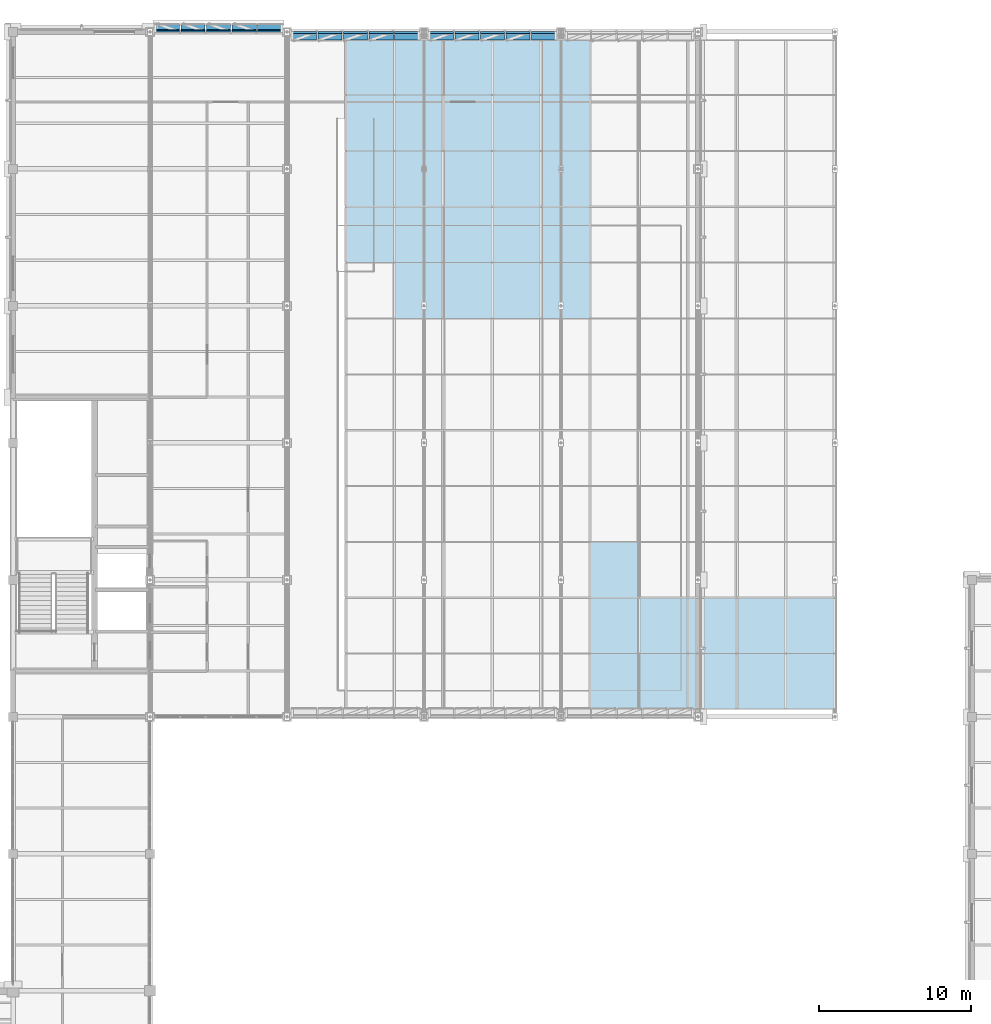
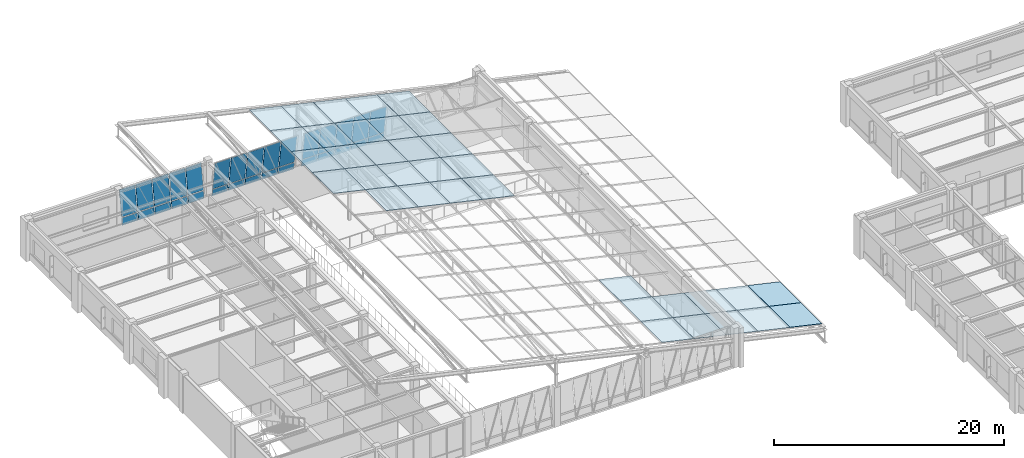
# One storey, part 106 of 130: 65 plates, 8 elements without a shape of their own.
"""IFC4 building model written with IfcOpenShell, lengths in metres."""

from ifc_helpers import new_model, si_unit, direction, frame, origin, origin_2d, place, context, subcontext, project, spatial, rectangle, extrude, material, layer, layer_set, type_object, element, aggregate, save


model = new_model("IFC4")

# Units and contexts
model_context = context("Model", 3, precision=1e-05, world=origin(), true_north=direction((0.0, 1.0)))
body_context = subcontext(model_context, "Body", "Model", "MODEL_VIEW")
ifc_project = project(units=[si_unit("LENGTHUNIT", "METRE"), si_unit("AREAUNIT", "SQUARE_METRE"), si_unit("VOLUMEUNIT", "CUBIC_METRE"), si_unit("PLANEANGLEUNIT", "RADIAN"), si_unit("MASSUNIT", "GRAM", prefix="KILO")], contexts=[model_context])

# Site, building, storey
site_placement = place(None, origin())
site = spatial("IfcSite", under=ifc_project, at=site_placement, CompositionType="ELEMENT")
building_placement = place(site_placement, origin())
building = spatial("IfcBuilding", under=site, at=building_placement, Name="Lykobir Media Centre", CompositionType="ELEMENT")
storey_placement = place(building_placement, frame((0.0, 0.0, 19.199951171875)))
storey = spatial("IfcBuildingStorey", under=building, at=storey_placement, Name="L04", CompositionType="ELEMENT", Elevation=19.199951171875)

# Curtain wall, plates
ifc_material_1 = material(Name="Anodized Aluminium AW-6060", Category="aluminium")
curtain_wall_type_1 = type_object("IfcCurtainWallType", Name="CW-V6-CR4", PredefinedType="NOTDEFINED", material=ifc_material_1)
curtain_wall_1_placement = place(storey_placement, origin())
curtain_wall_1 = element("IfcCurtainWall", 1, at=curtain_wall_1_placement, inside=storey, type_object=curtain_wall_type_1, Name="Curtain wall CW2-L04-0163", PredefinedType="NOTDEFINED")
ifc_material_2 = material(Name="Low-E Laminated Triple Glazing", Category="glass")
ifc_layer_1 = layer(ifc_material_2, 0.0439453125, Name="Low-E Laminated Triple Glazing")
ifc_layer_set_1 = layer_set([ifc_layer_1], Name="Low-E Laminated Triple Glazing")
plate_type_1 = type_object("IfcPlateType", Name="CWP-GLZ-44", PredefinedType="CURTAIN_PANEL", material=ifc_layer_set_1)
plate_1_placement = place(storey_placement, frame((43.837158203125, 108.126708984375, 0.87841796875), z_axis=(0.0, 0.142628933706, 0.989776230908), x_axis=(-1.0, 0.0, 0.0)))
plate_1 = element("IfcPlate", 2, at=plate_1_placement, type_object=plate_type_1, Name="CW2-L04-0163 panel 1.2", PredefinedType="CURTAIN_PANEL", context=body_context, shape_type="SweptSolid", body=[
    extrude(rectangle(XDim=1.5654296875, YDim=0.0439453125, at=origin_2d()), origin(), (0.0, 0.0, 1.0), 2.7099609375),
])
plate_2_placement = place(storey_placement, frame((42.177978515625, 108.126708984375, 0.87841796875), z_axis=(0.0, 0.142628933706, 0.989776230908), x_axis=(-1.0, 0.0, 0.0)))
plate_2 = element("IfcPlate", 3, at=plate_2_placement, type_object=plate_type_1, Name="CW2-L04-0163 panel 2.2", PredefinedType="CURTAIN_PANEL", context=body_context, shape_type="SweptSolid", body=[
    extrude(rectangle(XDim=1.60302734375, YDim=0.0439453125, at=origin_2d()), origin(), (0.0, 0.0, 1.0), 2.7099609375),
])
plate_3_placement = place(storey_placement, frame((40.5, 108.126708984375, 0.87841796875), z_axis=(0.0, 0.142628933706, 0.989776230908), x_axis=(-1.0, 0.0, 0.0)))
plate_3 = element("IfcPlate", 4, at=plate_3_placement, type_object=plate_type_1, Name="CW2-L04-0163 panel 3.2", PredefinedType="CURTAIN_PANEL", context=body_context, shape_type="SweptSolid", body=[
    extrude(rectangle(XDim=1.60302734375, YDim=0.0439453125, at=origin_2d()), origin(), (0.0, 0.0, 1.0), 2.7099609375),
])
plate_4_placement = place(storey_placement, frame((38.822021484375, 108.126708984375, 0.87841796875), z_axis=(0.0, 0.142628933706, 0.989776230908), x_axis=(-1.0, 0.0, 0.0)))
plate_4 = element("IfcPlate", 5, at=plate_4_placement, type_object=plate_type_1, Name="CW2-L04-0163 panel 4.2", PredefinedType="CURTAIN_PANEL", context=body_context, shape_type="SweptSolid", body=[
    extrude(rectangle(XDim=1.60302734375, YDim=0.0439453125, at=origin_2d()), origin(), (0.0, 0.0, 1.0), 2.7099609375),
])
plate_5_placement = place(storey_placement, frame((37.162841796875, 108.126708984375, 0.87841796875), z_axis=(0.0, 0.142628933706, 0.989776230908), x_axis=(-1.0, 0.0, 0.0)))
plate_5 = element("IfcPlate", 6, at=plate_5_placement, type_object=plate_type_1, Name="CW2-L04-0163 panel 5.2", PredefinedType="CURTAIN_PANEL", context=body_context, shape_type="SweptSolid", body=[
    extrude(rectangle(XDim=1.5654296875, YDim=0.0439453125, at=origin_2d()), origin(), (0.0, 0.0, 1.0), 2.7099609375),
])

curtain_wall_2_placement = place(storey_placement, origin())
curtain_wall_2 = element("IfcCurtainWall", 7, at=curtain_wall_2_placement, inside=storey, type_object=curtain_wall_type_1, Name="Curtain wall CW2-L04-0164", PredefinedType="NOTDEFINED")
plate_6_placement = place(storey_placement, frame((46.162841796875, 107.873291015625, 0.87841796875), z_axis=(0.0, -0.142628933706, 0.989776230908), x_axis=(1.0, 0.0, 0.0)))
plate_6 = element("IfcPlate", 8, at=plate_6_placement, type_object=plate_type_1, Name="CW2-L04-0164 panel 1.2", PredefinedType="CURTAIN_PANEL", context=body_context, shape_type="SweptSolid", body=[
    extrude(rectangle(XDim=1.5654296875, YDim=0.0439453125, at=origin_2d()), origin(), (0.0, 0.0, 1.0), 3.018310546875),
])
plate_7_placement = place(storey_placement, frame((47.822021484375, 107.873291015625, 0.87841796875), z_axis=(0.0, -0.142628933706, 0.989776230908), x_axis=(1.0, 0.0, 0.0)))
plate_7 = element("IfcPlate", 9, at=plate_7_placement, type_object=plate_type_1, Name="CW2-L04-0164 panel 2.2", PredefinedType="CURTAIN_PANEL", context=body_context, shape_type="SweptSolid", body=[
    extrude(rectangle(XDim=1.60302734375, YDim=0.0439453125, at=origin_2d()), origin(), (0.0, 0.0, 1.0), 3.018310546875),
])
plate_8_placement = place(storey_placement, frame((49.5, 107.873291015625, 0.87841796875), z_axis=(0.0, -0.142628933706, 0.989776230908), x_axis=(1.0, 0.0, 0.0)))
plate_8 = element("IfcPlate", 10, at=plate_8_placement, type_object=plate_type_1, Name="CW2-L04-0164 panel 3.2", PredefinedType="CURTAIN_PANEL", context=body_context, shape_type="SweptSolid", body=[
    extrude(rectangle(XDim=1.60302734375, YDim=0.0439453125, at=origin_2d()), origin(), (0.0, 0.0, 1.0), 3.018310546875),
])
plate_9_placement = place(storey_placement, frame((51.177978515625, 107.873291015625, 0.87841796875), z_axis=(0.0, -0.142628933706, 0.989776230908), x_axis=(1.0, 0.0, 0.0)))
plate_9 = element("IfcPlate", 11, at=plate_9_placement, type_object=plate_type_1, Name="CW2-L04-0164 panel 4.2", PredefinedType="CURTAIN_PANEL", context=body_context, shape_type="SweptSolid", body=[
    extrude(rectangle(XDim=1.60302734375, YDim=0.0439453125, at=origin_2d()), origin(), (0.0, 0.0, 1.0), 3.018310546875),
])
plate_10_placement = place(storey_placement, frame((52.837158203125, 107.873291015625, 0.87841796875), z_axis=(0.0, -0.142628933706, 0.989776230908), x_axis=(1.0, 0.0, 0.0)))
plate_10 = element("IfcPlate", 12, at=plate_10_placement, type_object=plate_type_1, Name="CW2-L04-0164 panel 5.2", PredefinedType="CURTAIN_PANEL", context=body_context, shape_type="SweptSolid", body=[
    extrude(rectangle(XDim=1.5654296875, YDim=0.0439453125, at=origin_2d()), origin(), (0.0, 0.0, 1.0), 3.018310546875),
])

curtain_wall_3_placement = place(storey_placement, origin())
curtain_wall_3 = element("IfcCurtainWall", 13, at=curtain_wall_3_placement, inside=storey, type_object=curtain_wall_type_1, Name="Curtain wall CW2-L04-0165", PredefinedType="NOTDEFINED")
plate_11_placement = place(storey_placement, frame((55.162841796875, 107.873291015625, 0.87841796875), z_axis=(0.0, -0.142628933706, 0.989776230908), x_axis=(1.0, 0.0, 0.0)))
plate_11 = element("IfcPlate", 14, at=plate_11_placement, type_object=plate_type_1, Name="CW2-L04-0165 panel 1.2", PredefinedType="CURTAIN_PANEL", context=body_context, shape_type="SweptSolid", body=[
    extrude(rectangle(XDim=1.5654296875, YDim=0.0439453125, at=origin_2d()), origin(), (0.0, 0.0, 1.0), 3.018310546875),
])
plate_12_placement = place(storey_placement, frame((56.822021484375, 107.873291015625, 0.87841796875), z_axis=(0.0, -0.142628933706, 0.989776230908), x_axis=(1.0, 0.0, 0.0)))
plate_12 = element("IfcPlate", 15, at=plate_12_placement, type_object=plate_type_1, Name="CW2-L04-0165 panel 2.2", PredefinedType="CURTAIN_PANEL", context=body_context, shape_type="SweptSolid", body=[
    extrude(rectangle(XDim=1.60302734375, YDim=0.0439453125, at=origin_2d()), origin(), (0.0, 0.0, 1.0), 3.018310546875),
])
plate_13_placement = place(storey_placement, frame((58.5, 107.873291015625, 0.87841796875), z_axis=(0.0, -0.142628933706, 0.989776230908), x_axis=(1.0, 0.0, 0.0)))
plate_13 = element("IfcPlate", 16, at=plate_13_placement, type_object=plate_type_1, Name="CW2-L04-0165 panel 3.2", PredefinedType="CURTAIN_PANEL", context=body_context, shape_type="SweptSolid", body=[
    extrude(rectangle(XDim=1.60302734375, YDim=0.0439453125, at=origin_2d()), origin(), (0.0, 0.0, 1.0), 3.018310546875),
])
plate_14_placement = place(storey_placement, frame((60.177978515625, 107.873291015625, 0.87841796875), z_axis=(0.0, -0.142628933706, 0.989776230908), x_axis=(1.0, 0.0, 0.0)))
plate_14 = element("IfcPlate", 17, at=plate_14_placement, type_object=plate_type_1, Name="CW2-L04-0165 panel 4.2", PredefinedType="CURTAIN_PANEL", context=body_context, shape_type="SweptSolid", body=[
    extrude(rectangle(XDim=1.60302734375, YDim=0.0439453125, at=origin_2d()), origin(), (0.0, 0.0, 1.0), 3.018310546875),
])
plate_15_placement = place(storey_placement, frame((61.837158203125, 107.873291015625, 0.87841796875), z_axis=(0.0, -0.142628933706, 0.989776230908), x_axis=(1.0, 0.0, 0.0)))
plate_15 = element("IfcPlate", 18, at=plate_15_placement, type_object=plate_type_1, Name="CW2-L04-0165 panel 5.2", PredefinedType="CURTAIN_PANEL", context=body_context, shape_type="SweptSolid", body=[
    extrude(rectangle(XDim=1.5654296875, YDim=0.0439453125, at=origin_2d()), origin(), (0.0, 0.0, 1.0), 3.018310546875),
])

curtain_wall_type_2 = type_object("IfcCurtainWallType", Name="CW-V6-SKY", PredefinedType="NOTDEFINED", material=ifc_material_1)
curtain_wall_4_placement = place(storey_placement, origin())
curtain_wall_4 = element("IfcCurtainWall", 19, at=curtain_wall_4_placement, inside=storey, type_object=curtain_wall_type_2, Name="Curtain wall CW-V6-SKY01", PredefinedType="NOTDEFINED")
plate_16_placement = place(storey_placement, frame((80.998046875, 68.985107421875, 1.00048828125), z_axis=(-0.975261365164, 0.0, 0.221054901821), x_axis=(0.0, -1.0, 0.0)))
plate_16 = element("IfcPlate", 20, at=plate_16_placement, type_object=plate_type_1, Name="CW-V6-SKY01 panel 11.1", PredefinedType="CURTAIN_PANEL", context=body_context, shape_type="SweptSolid", body=[
    extrude(rectangle(XDim=3.6640625, YDim=0.0439453125, at=origin_2d()), origin(), (0.0, 0.0, 1.0), 3.290771484375),
])
plate_17_placement = place(storey_placement, frame((77.78271484375, 68.985107421875, 1.729248046875), z_axis=(-0.975261365164, 0.0, 0.221054901821), x_axis=(0.0, -1.0, 0.0)))
plate_17 = element("IfcPlate", 21, at=plate_17_placement, type_object=plate_type_1, Name="CW-V6-SKY01 panel 11.2", PredefinedType="CURTAIN_PANEL", context=body_context, shape_type="SweptSolid", body=[
    extrude(rectangle(XDim=3.6640625, YDim=0.0439453125, at=origin_2d()), origin(), (0.0, 0.0, 1.0), 3.290771484375),
])
plate_18_placement = place(storey_placement, frame((80.998046875, 65.314453125, 1.00048828125), z_axis=(-0.975261365164, 0.0, 0.221054901821), x_axis=(0.0, -1.0, 0.0)))
plate_18 = element("IfcPlate", 22, at=plate_18_placement, type_object=plate_type_1, Name="CW-V6-SKY01 panel 12.1", PredefinedType="CURTAIN_PANEL", context=body_context, shape_type="SweptSolid", body=[
    extrude(rectangle(XDim=3.6650390625, YDim=0.0439453125, at=origin_2d()), origin(), (0.0, 0.0, 1.0), 3.290771484375),
])
plate_19_placement = place(storey_placement, frame((77.78271484375, 65.314453125, 1.729248046875), z_axis=(-0.975261365164, 0.0, 0.221054901821), x_axis=(0.0, -1.0, 0.0)))
plate_19 = element("IfcPlate", 23, at=plate_19_placement, type_object=plate_type_1, Name="CW-V6-SKY01 panel 12.2", PredefinedType="CURTAIN_PANEL", context=body_context, shape_type="SweptSolid", body=[
    extrude(rectangle(XDim=3.6650390625, YDim=0.0439453125, at=origin_2d()), origin(), (0.0, 0.0, 1.0), 3.290771484375),
])
aggregate(curtain_wall_4, [plate_16, plate_17, plate_18, plate_19])

curtain_wall_5_placement = place(storey_placement, origin())
curtain_wall_5 = element("IfcCurtainWall", 24, at=curtain_wall_5_placement, inside=storey, type_object=curtain_wall_type_2, Name="Curtain wall CW-V6-SKY02", PredefinedType="NOTDEFINED")
plate_20_placement = place(storey_placement, frame((74.5693359375, 68.985107421875, 2.45751953125), z_axis=(-0.975257506879, 0.0, 0.221071923309), x_axis=(0.0, -1.0, 0.0)))
plate_20 = element("IfcPlate", 25, at=plate_20_placement, type_object=plate_type_1, Name="CW-V6-SKY02 panel 11.1", PredefinedType="CURTAIN_PANEL", context=body_context, shape_type="SweptSolid", body=[
    extrude(rectangle(XDim=3.6640625, YDim=0.0439453125, at=origin_2d()), origin(), (0.0, 0.0, 1.0), 3.290771484375),
])
plate_21_placement = place(storey_placement, frame((71.354248046875, 68.985107421875, 3.1865234375), z_axis=(-0.975257506879, 0.0, 0.221071923309), x_axis=(0.0, -1.0, 0.0)))
plate_21 = element("IfcPlate", 26, at=plate_21_placement, type_object=plate_type_1, Name="CW-V6-SKY02 panel 11.2", PredefinedType="CURTAIN_PANEL", context=body_context, shape_type="SweptSolid", body=[
    extrude(rectangle(XDim=3.6640625, YDim=0.0439453125, at=origin_2d()), origin(), (0.0, 0.0, 1.0), 3.290771484375),
])
plate_22_placement = place(storey_placement, frame((74.5693359375, 65.314453125, 2.45751953125), z_axis=(-0.975257506879, 0.0, 0.221071923309), x_axis=(0.0, -1.0, 0.0)))
plate_22 = element("IfcPlate", 27, at=plate_22_placement, type_object=plate_type_1, Name="CW-V6-SKY02 panel 12.1", PredefinedType="CURTAIN_PANEL", context=body_context, shape_type="SweptSolid", body=[
    extrude(rectangle(XDim=3.6650390625, YDim=0.0439453125, at=origin_2d()), origin(), (0.0, 0.0, 1.0), 3.290771484375),
])
plate_23_placement = place(storey_placement, frame((71.354248046875, 65.314453125, 3.1865234375), z_axis=(-0.975257506879, 0.0, 0.221071923309), x_axis=(0.0, -1.0, 0.0)))
plate_23 = element("IfcPlate", 28, at=plate_23_placement, type_object=plate_type_1, Name="CW-V6-SKY02 panel 12.2", PredefinedType="CURTAIN_PANEL", context=body_context, shape_type="SweptSolid", body=[
    extrude(rectangle(XDim=3.6650390625, YDim=0.0439453125, at=origin_2d()), origin(), (0.0, 0.0, 1.0), 3.290771484375),
])
aggregate(curtain_wall_5, [plate_20, plate_21, plate_22, plate_23])

curtain_wall_6_placement = place(storey_placement, origin())
curtain_wall_6 = element("IfcCurtainWall", 29, at=curtain_wall_6_placement, inside=storey, type_object=curtain_wall_type_2, Name="Curtain wall CW-V6-SKY03", PredefinedType="NOTDEFINED")
plate_24_placement = place(storey_placement, frame((64.92578125, 105.685546875, 4.6435546875), z_axis=(-0.975261365164, 0.0, 0.221054901821), x_axis=(0.0, -1.0, 0.0)))
plate_24 = element("IfcPlate", 30, at=plate_24_placement, type_object=plate_type_1, Name="CW-V6-SKY03 panel 1.2", PredefinedType="CURTAIN_PANEL", context=body_context, shape_type="SweptSolid", body=[
    extrude(rectangle(XDim=3.6650390625, YDim=0.0439453125, at=origin_2d()), origin(), (0.0, 0.0, 1.0), 3.290771484375),
])
plate_25_placement = place(storey_placement, frame((64.92578125, 102.014892578125, 4.6435546875), z_axis=(-0.975261365164, 0.0, 0.221054901821), x_axis=(0.0, -1.0, 0.0)))
plate_25 = element("IfcPlate", 31, at=plate_25_placement, type_object=plate_type_1, Name="CW-V6-SKY03 panel 2.2", PredefinedType="CURTAIN_PANEL", context=body_context, shape_type="SweptSolid", body=[
    extrude(rectangle(XDim=3.6640625, YDim=0.0439453125, at=origin_2d()), origin(), (0.0, 0.0, 1.0), 3.290771484375),
])
plate_26_placement = place(storey_placement, frame((64.92578125, 98.344970703125, 4.6435546875), z_axis=(-0.975261365164, 0.0, 0.221054901821), x_axis=(0.0, -1.0, 0.0)))
plate_26 = element("IfcPlate", 32, at=plate_26_placement, type_object=plate_type_1, Name="CW-V6-SKY03 panel 3.2", PredefinedType="CURTAIN_PANEL", context=body_context, shape_type="SweptSolid", body=[
    extrude(rectangle(XDim=3.6640625, YDim=0.0439453125, at=origin_2d()), origin(), (0.0, 0.0, 1.0), 3.290771484375),
])
plate_27_placement = place(storey_placement, frame((64.92578125, 94.675048828125, 4.6435546875), z_axis=(-0.975261365164, 0.0, 0.221054901821), x_axis=(0.0, -1.0, 0.0)))
plate_27 = element("IfcPlate", 33, at=plate_27_placement, type_object=plate_type_1, Name="CW-V6-SKY03 panel 4.2", PredefinedType="CURTAIN_PANEL", context=body_context, shape_type="SweptSolid", body=[
    extrude(rectangle(XDim=3.6640625, YDim=0.0439453125, at=origin_2d()), origin(), (0.0, 0.0, 1.0), 3.290771484375),
])
plate_28_placement = place(storey_placement, frame((64.92578125, 91.0048828125, 4.6435546875), z_axis=(-0.975261365164, 0.0, 0.221054901821), x_axis=(0.0, -1.0, 0.0)))
plate_28 = element("IfcPlate", 34, at=plate_28_placement, type_object=plate_type_1, Name="CW-V6-SKY03 panel 5.2", PredefinedType="CURTAIN_PANEL", context=body_context, shape_type="SweptSolid", body=[
    extrude(rectangle(XDim=3.6640625, YDim=0.0439453125, at=origin_2d()), origin(), (0.0, 0.0, 1.0), 3.290771484375),
])
plate_29_placement = place(storey_placement, frame((68.140869140625, 72.655029296875, 3.914794921875), z_axis=(-0.975261365164, 0.0, 0.221054901821), x_axis=(0.0, -1.0, 0.0)))
plate_29 = element("IfcPlate", 35, at=plate_29_placement, type_object=plate_type_1, Name="CW-V6-SKY03 panel 10.1", PredefinedType="CURTAIN_PANEL", context=body_context, shape_type="SweptSolid", body=[
    extrude(rectangle(XDim=3.6640625, YDim=0.0439453125, at=origin_2d()), origin(), (0.0, 0.0, 1.0), 3.290771484375),
])
plate_30_placement = place(storey_placement, frame((68.140869140625, 68.985107421875, 3.914794921875), z_axis=(-0.975261365164, 0.0, 0.221054901821), x_axis=(0.0, -1.0, 0.0)))
plate_30 = element("IfcPlate", 36, at=plate_30_placement, type_object=plate_type_1, Name="CW-V6-SKY03 panel 11.1", PredefinedType="CURTAIN_PANEL", context=body_context, shape_type="SweptSolid", body=[
    extrude(rectangle(XDim=3.6640625, YDim=0.0439453125, at=origin_2d()), origin(), (0.0, 0.0, 1.0), 3.290771484375),
])
plate_31_placement = place(storey_placement, frame((68.140869140625, 65.314453125, 3.914794921875), z_axis=(-0.975261365164, 0.0, 0.221054901821), x_axis=(0.0, -1.0, 0.0)))
plate_31 = element("IfcPlate", 37, at=plate_31_placement, type_object=plate_type_1, Name="CW-V6-SKY03 panel 12.1", PredefinedType="CURTAIN_PANEL", context=body_context, shape_type="SweptSolid", body=[
    extrude(rectangle(XDim=3.6650390625, YDim=0.0439453125, at=origin_2d()), origin(), (0.0, 0.0, 1.0), 3.290771484375),
])
aggregate(curtain_wall_6, [plate_24, plate_25, plate_26, plate_27, plate_28, plate_29, plate_30, plate_31])

curtain_wall_7_placement = place(storey_placement, origin())
curtain_wall_7 = element("IfcCurtainWall", 38, at=curtain_wall_7_placement, inside=storey, type_object=curtain_wall_type_2, Name="Curtain wall CW-V6-SKY04", PredefinedType="NOTDEFINED")
plate_32_placement = place(storey_placement, frame((61.71240234375, 105.685546875, 5.371826171875), z_axis=(-0.975257506879, 0.0, 0.221071923309), x_axis=(0.0, -1.0, 0.0)))
plate_32 = element("IfcPlate", 39, at=plate_32_placement, type_object=plate_type_1, Name="CW-V6-SKY04 panel 1.1", PredefinedType="CURTAIN_PANEL", context=body_context, shape_type="SweptSolid", body=[
    extrude(rectangle(XDim=3.6650390625, YDim=0.0439453125, at=origin_2d()), origin(), (0.0, 0.0, 1.0), 3.290771484375),
])
plate_33_placement = place(storey_placement, frame((58.4970703125, 105.685546875, 6.100830078125), z_axis=(-0.975257506879, 0.0, 0.221071923309), x_axis=(0.0, -1.0, 0.0)))
plate_33 = element("IfcPlate", 40, at=plate_33_placement, type_object=plate_type_1, Name="CW-V6-SKY04 panel 1.2", PredefinedType="CURTAIN_PANEL", context=body_context, shape_type="SweptSolid", body=[
    extrude(rectangle(XDim=3.6650390625, YDim=0.0439453125, at=origin_2d()), origin(), (0.0, 0.0, 1.0), 3.290771484375),
])
plate_34_placement = place(storey_placement, frame((61.71240234375, 102.014892578125, 5.371826171875), z_axis=(-0.975257506879, 0.0, 0.221071923309), x_axis=(0.0, -1.0, 0.0)))
plate_34 = element("IfcPlate", 41, at=plate_34_placement, type_object=plate_type_1, Name="CW-V6-SKY04 panel 2.1", PredefinedType="CURTAIN_PANEL", context=body_context, shape_type="SweptSolid", body=[
    extrude(rectangle(XDim=3.6640625, YDim=0.0439453125, at=origin_2d()), origin(), (0.0, 0.0, 1.0), 3.290771484375),
])
plate_35_placement = place(storey_placement, frame((58.4970703125, 102.014892578125, 6.100830078125), z_axis=(-0.975257506879, 0.0, 0.221071923309), x_axis=(0.0, -1.0, 0.0)))
plate_35 = element("IfcPlate", 42, at=plate_35_placement, type_object=plate_type_1, Name="CW-V6-SKY04 panel 2.2", PredefinedType="CURTAIN_PANEL", context=body_context, shape_type="SweptSolid", body=[
    extrude(rectangle(XDim=3.6640625, YDim=0.0439453125, at=origin_2d()), origin(), (0.0, 0.0, 1.0), 3.290771484375),
])
plate_36_placement = place(storey_placement, frame((61.71240234375, 98.344970703125, 5.371826171875), z_axis=(-0.975257506879, 0.0, 0.221071923309), x_axis=(0.0, -1.0, 0.0)))
plate_36 = element("IfcPlate", 43, at=plate_36_placement, type_object=plate_type_1, Name="CW-V6-SKY04 panel 3.1", PredefinedType="CURTAIN_PANEL", context=body_context, shape_type="SweptSolid", body=[
    extrude(rectangle(XDim=3.6640625, YDim=0.0439453125, at=origin_2d()), origin(), (0.0, 0.0, 1.0), 3.290771484375),
])
plate_37_placement = place(storey_placement, frame((58.4970703125, 98.344970703125, 6.100830078125), z_axis=(-0.975257506879, 0.0, 0.221071923309), x_axis=(0.0, -1.0, 0.0)))
plate_37 = element("IfcPlate", 44, at=plate_37_placement, type_object=plate_type_1, Name="CW-V6-SKY04 panel 3.2", PredefinedType="CURTAIN_PANEL", context=body_context, shape_type="SweptSolid", body=[
    extrude(rectangle(XDim=3.6640625, YDim=0.0439453125, at=origin_2d()), origin(), (0.0, 0.0, 1.0), 3.290771484375),
])
plate_38_placement = place(storey_placement, frame((61.71240234375, 94.675048828125, 5.371826171875), z_axis=(-0.975257506879, 0.0, 0.221071923309), x_axis=(0.0, -1.0, 0.0)))
plate_38 = element("IfcPlate", 45, at=plate_38_placement, type_object=plate_type_1, Name="CW-V6-SKY04 panel 4.1", PredefinedType="CURTAIN_PANEL", context=body_context, shape_type="SweptSolid", body=[
    extrude(rectangle(XDim=3.6640625, YDim=0.0439453125, at=origin_2d()), origin(), (0.0, 0.0, 1.0), 3.290771484375),
])
plate_39_placement = place(storey_placement, frame((58.4970703125, 94.675048828125, 6.100830078125), z_axis=(-0.975257506879, 0.0, 0.221071923309), x_axis=(0.0, -1.0, 0.0)))
plate_39 = element("IfcPlate", 46, at=plate_39_placement, type_object=plate_type_1, Name="CW-V6-SKY04 panel 4.2", PredefinedType="CURTAIN_PANEL", context=body_context, shape_type="SweptSolid", body=[
    extrude(rectangle(XDim=3.6640625, YDim=0.0439453125, at=origin_2d()), origin(), (0.0, 0.0, 1.0), 3.290771484375),
])
plate_40_placement = place(storey_placement, frame((61.71240234375, 91.0048828125, 5.371826171875), z_axis=(-0.975257506879, 0.0, 0.221071923309), x_axis=(0.0, -1.0, 0.0)))
plate_40 = element("IfcPlate", 47, at=plate_40_placement, type_object=plate_type_1, Name="CW-V6-SKY04 panel 5.1", PredefinedType="CURTAIN_PANEL", context=body_context, shape_type="SweptSolid", body=[
    extrude(rectangle(XDim=3.6640625, YDim=0.0439453125, at=origin_2d()), origin(), (0.0, 0.0, 1.0), 3.290771484375),
])
plate_41_placement = place(storey_placement, frame((58.4970703125, 91.0048828125, 6.100830078125), z_axis=(-0.975257506879, 0.0, 0.221071923309), x_axis=(0.0, -1.0, 0.0)))
plate_41 = element("IfcPlate", 48, at=plate_41_placement, type_object=plate_type_1, Name="CW-V6-SKY04 panel 5.2", PredefinedType="CURTAIN_PANEL", context=body_context, shape_type="SweptSolid", body=[
    extrude(rectangle(XDim=3.6640625, YDim=0.0439453125, at=origin_2d()), origin(), (0.0, 0.0, 1.0), 3.290771484375),
])
aggregate(curtain_wall_7, [plate_32, plate_33, plate_34, plate_35, plate_36, plate_37, plate_38, plate_39, plate_40, plate_41])

curtain_wall_8_placement = place(storey_placement, origin())
curtain_wall_8 = element("IfcCurtainWall", 49, at=curtain_wall_8_placement, inside=storey, type_object=curtain_wall_type_2, Name="Curtain wall CW-V6-SKY05", PredefinedType="NOTDEFINED")
plate_42_placement = place(storey_placement, frame((55.28369140625, 105.685546875, 6.8291015625), z_axis=(-0.975261365164, 0.0, 0.221054901821), x_axis=(0.0, -1.0, 0.0)))
plate_42 = element("IfcPlate", 50, at=plate_42_placement, type_object=plate_type_1, Name="CW-V6-SKY05 panel 1.1", PredefinedType="CURTAIN_PANEL", context=body_context, shape_type="SweptSolid", body=[
    extrude(rectangle(XDim=3.6650390625, YDim=0.0439453125, at=origin_2d()), origin(), (0.0, 0.0, 1.0), 3.290771484375),
])
plate_43_placement = place(storey_placement, frame((52.068603515625, 105.685546875, 7.557861328125), z_axis=(-0.975261365164, 0.0, 0.221054901821), x_axis=(0.0, -1.0, 0.0)))
plate_43 = element("IfcPlate", 51, at=plate_43_placement, type_object=plate_type_1, Name="CW-V6-SKY05 panel 1.2", PredefinedType="CURTAIN_PANEL", context=body_context, shape_type="SweptSolid", body=[
    extrude(rectangle(XDim=3.6650390625, YDim=0.0439453125, at=origin_2d()), origin(), (0.0, 0.0, 1.0), 3.290771484375),
])
plate_44_placement = place(storey_placement, frame((55.28369140625, 102.014892578125, 6.8291015625), z_axis=(-0.975261365164, 0.0, 0.221054901821), x_axis=(0.0, -1.0, 0.0)))
plate_44 = element("IfcPlate", 52, at=plate_44_placement, type_object=plate_type_1, Name="CW-V6-SKY05 panel 2.1", PredefinedType="CURTAIN_PANEL", context=body_context, shape_type="SweptSolid", body=[
    extrude(rectangle(XDim=3.6640625, YDim=0.0439453125, at=origin_2d()), origin(), (0.0, 0.0, 1.0), 3.290771484375),
])
plate_45_placement = place(storey_placement, frame((52.068603515625, 102.014892578125, 7.557861328125), z_axis=(-0.975261365164, 0.0, 0.221054901821), x_axis=(0.0, -1.0, 0.0)))
plate_45 = element("IfcPlate", 53, at=plate_45_placement, type_object=plate_type_1, Name="CW-V6-SKY05 panel 2.2", PredefinedType="CURTAIN_PANEL", context=body_context, shape_type="SweptSolid", body=[
    extrude(rectangle(XDim=3.6640625, YDim=0.0439453125, at=origin_2d()), origin(), (0.0, 0.0, 1.0), 3.290771484375),
])
plate_46_placement = place(storey_placement, frame((55.28369140625, 98.344970703125, 6.8291015625), z_axis=(-0.975261365164, 0.0, 0.221054901821), x_axis=(0.0, -1.0, 0.0)))
plate_46 = element("IfcPlate", 54, at=plate_46_placement, type_object=plate_type_1, Name="CW-V6-SKY05 panel 3.1", PredefinedType="CURTAIN_PANEL", context=body_context, shape_type="SweptSolid", body=[
    extrude(rectangle(XDim=3.6640625, YDim=0.0439453125, at=origin_2d()), origin(), (0.0, 0.0, 1.0), 3.290771484375),
])
plate_47_placement = place(storey_placement, frame((52.068603515625, 98.344970703125, 7.557861328125), z_axis=(-0.975261365164, 0.0, 0.221054901821), x_axis=(0.0, -1.0, 0.0)))
plate_47 = element("IfcPlate", 55, at=plate_47_placement, type_object=plate_type_1, Name="CW-V6-SKY05 panel 3.2", PredefinedType="CURTAIN_PANEL", context=body_context, shape_type="SweptSolid", body=[
    extrude(rectangle(XDim=3.6640625, YDim=0.0439453125, at=origin_2d()), origin(), (0.0, 0.0, 1.0), 3.290771484375),
])
plate_48_placement = place(storey_placement, frame((55.28369140625, 94.675048828125, 6.8291015625), z_axis=(-0.975261365164, 0.0, 0.221054901821), x_axis=(0.0, -1.0, 0.0)))
plate_48 = element("IfcPlate", 56, at=plate_48_placement, type_object=plate_type_1, Name="CW-V6-SKY05 panel 4.1", PredefinedType="CURTAIN_PANEL", context=body_context, shape_type="SweptSolid", body=[
    extrude(rectangle(XDim=3.6640625, YDim=0.0439453125, at=origin_2d()), origin(), (0.0, 0.0, 1.0), 3.290771484375),
])
plate_49_placement = place(storey_placement, frame((52.068603515625, 94.675048828125, 7.557861328125), z_axis=(-0.975261365164, 0.0, 0.221054901821), x_axis=(0.0, -1.0, 0.0)))
plate_49 = element("IfcPlate", 57, at=plate_49_placement, type_object=plate_type_1, Name="CW-V6-SKY05 panel 4.2", PredefinedType="CURTAIN_PANEL", context=body_context, shape_type="SweptSolid", body=[
    extrude(rectangle(XDim=3.6640625, YDim=0.0439453125, at=origin_2d()), origin(), (0.0, 0.0, 1.0), 3.290771484375),
])
plate_50_placement = place(storey_placement, frame((55.28369140625, 91.0048828125, 6.8291015625), z_axis=(-0.975261365164, 0.0, 0.221054901821), x_axis=(0.0, -1.0, 0.0)))
plate_50 = element("IfcPlate", 58, at=plate_50_placement, type_object=plate_type_1, Name="CW-V6-SKY05 panel 5.1", PredefinedType="CURTAIN_PANEL", context=body_context, shape_type="SweptSolid", body=[
    extrude(rectangle(XDim=3.6640625, YDim=0.0439453125, at=origin_2d()), origin(), (0.0, 0.0, 1.0), 3.290771484375),
])
aggregate(curtain_wall_8, [plate_42, plate_43, plate_44, plate_45, plate_46, plate_47, plate_48, plate_49, plate_50])

# Plate
ifc_material_3 = material(Name="Pre-Weathered Titanium-Zinc", Category="metal")
ifc_layer_2 = layer(ifc_material_3, 0.052001953125, Name="Pre-Weathered Titanium-Zinc")
ifc_layer_set_2 = layer_set([ifc_layer_2], Name="Pre-Weathered Titanium-Zinc")
plate_type_2 = type_object("IfcPlateType", Name="CWP-SPN-52", PredefinedType="CURTAIN_PANEL", material=ifc_layer_set_2)
plate_51_placement = place(storey_placement, frame((46.162841796875, 107.9892578125, 0.07421875), z_axis=(0.0, -0.142628933706, 0.989776230908), x_axis=(1.0, 0.0, 0.0)))
plate_51 = element("IfcPlate", 59, at=plate_51_placement, type_object=plate_type_2, Name="CW2-L04-0164 panel 1.1", PredefinedType="CURTAIN_PANEL", context=body_context, shape_type="SweptSolid", body=[
    extrude(rectangle(XDim=1.5654296875, YDim=0.052001953125, at=origin_2d()), origin(), (0.0, 0.0, 1.0), 0.737548828125),
])

plate_52_placement = place(storey_placement, frame((47.822021484375, 107.9892578125, 0.07421875), z_axis=(0.0, -0.142628933706, 0.989776230908), x_axis=(1.0, 0.0, 0.0)))
plate_52 = element("IfcPlate", 60, at=plate_52_placement, type_object=plate_type_2, Name="CW2-L04-0164 panel 2.1", PredefinedType="CURTAIN_PANEL", context=body_context, shape_type="SweptSolid", body=[
    extrude(rectangle(XDim=1.60302734375, YDim=0.052001953125, at=origin_2d()), origin(), (0.0, 0.0, 1.0), 0.737548828125),
])

plate_53_placement = place(storey_placement, frame((49.5, 107.9892578125, 0.07421875), z_axis=(0.0, -0.142628933706, 0.989776230908), x_axis=(1.0, 0.0, 0.0)))
plate_53 = element("IfcPlate", 61, at=plate_53_placement, type_object=plate_type_2, Name="CW2-L04-0164 panel 3.1", PredefinedType="CURTAIN_PANEL", context=body_context, shape_type="SweptSolid", body=[
    extrude(rectangle(XDim=1.60302734375, YDim=0.052001953125, at=origin_2d()), origin(), (0.0, 0.0, 1.0), 0.737548828125),
])

plate_54_placement = place(storey_placement, frame((51.177978515625, 107.9892578125, 0.07421875), z_axis=(0.0, -0.142628933706, 0.989776230908), x_axis=(1.0, 0.0, 0.0)))
plate_54 = element("IfcPlate", 62, at=plate_54_placement, type_object=plate_type_2, Name="CW2-L04-0164 panel 4.1", PredefinedType="CURTAIN_PANEL", context=body_context, shape_type="SweptSolid", body=[
    extrude(rectangle(XDim=1.60302734375, YDim=0.052001953125, at=origin_2d()), origin(), (0.0, 0.0, 1.0), 0.737548828125),
])

plate_55_placement = place(storey_placement, frame((52.837158203125, 107.9892578125, 0.07421875), z_axis=(0.0, -0.142628933706, 0.989776230908), x_axis=(1.0, 0.0, 0.0)))
plate_55 = element("IfcPlate", 63, at=plate_55_placement, type_object=plate_type_2, Name="CW2-L04-0164 panel 5.1", PredefinedType="CURTAIN_PANEL", context=body_context, shape_type="SweptSolid", body=[
    extrude(rectangle(XDim=1.5654296875, YDim=0.052001953125, at=origin_2d()), origin(), (0.0, 0.0, 1.0), 0.737548828125),
])

aggregate(curtain_wall_2, [plate_51, plate_6, plate_52, plate_7, plate_53, plate_8, plate_54, plate_9, plate_55, plate_10])

plate_56_placement = place(storey_placement, frame((55.162841796875, 107.9892578125, 0.07421875), z_axis=(0.0, -0.142628933706, 0.989776230908), x_axis=(1.0, 0.0, 0.0)))
plate_56 = element("IfcPlate", 64, at=plate_56_placement, type_object=plate_type_2, Name="CW2-L04-0165 panel 1.1", PredefinedType="CURTAIN_PANEL", context=body_context, shape_type="SweptSolid", body=[
    extrude(rectangle(XDim=1.5654296875, YDim=0.052001953125, at=origin_2d()), origin(), (0.0, 0.0, 1.0), 0.737548828125),
])

plate_57_placement = place(storey_placement, frame((56.822021484375, 107.9892578125, 0.07421875), z_axis=(0.0, -0.142628933706, 0.989776230908), x_axis=(1.0, 0.0, 0.0)))
plate_57 = element("IfcPlate", 65, at=plate_57_placement, type_object=plate_type_2, Name="CW2-L04-0165 panel 2.1", PredefinedType="CURTAIN_PANEL", context=body_context, shape_type="SweptSolid", body=[
    extrude(rectangle(XDim=1.60302734375, YDim=0.052001953125, at=origin_2d()), origin(), (0.0, 0.0, 1.0), 0.737548828125),
])

plate_58_placement = place(storey_placement, frame((58.5, 107.9892578125, 0.07421875), z_axis=(0.0, -0.142628933706, 0.989776230908), x_axis=(1.0, 0.0, 0.0)))
plate_58 = element("IfcPlate", 66, at=plate_58_placement, type_object=plate_type_2, Name="CW2-L04-0165 panel 3.1", PredefinedType="CURTAIN_PANEL", context=body_context, shape_type="SweptSolid", body=[
    extrude(rectangle(XDim=1.60302734375, YDim=0.052001953125, at=origin_2d()), origin(), (0.0, 0.0, 1.0), 0.737548828125),
])

plate_59_placement = place(storey_placement, frame((60.177978515625, 107.9892578125, 0.07421875), z_axis=(0.0, -0.142628933706, 0.989776230908), x_axis=(1.0, 0.0, 0.0)))
plate_59 = element("IfcPlate", 67, at=plate_59_placement, type_object=plate_type_2, Name="CW2-L04-0165 panel 4.1", PredefinedType="CURTAIN_PANEL", context=body_context, shape_type="SweptSolid", body=[
    extrude(rectangle(XDim=1.60302734375, YDim=0.052001953125, at=origin_2d()), origin(), (0.0, 0.0, 1.0), 0.737548828125),
])

plate_60_placement = place(storey_placement, frame((61.837158203125, 107.9892578125, 0.07421875), z_axis=(0.0, -0.142628933706, 0.989776230908), x_axis=(1.0, 0.0, 0.0)))
plate_60 = element("IfcPlate", 68, at=plate_60_placement, type_object=plate_type_2, Name="CW2-L04-0165 panel 5.1", PredefinedType="CURTAIN_PANEL", context=body_context, shape_type="SweptSolid", body=[
    extrude(rectangle(XDim=1.5654296875, YDim=0.052001953125, at=origin_2d()), origin(), (0.0, 0.0, 1.0), 0.737548828125),
])

aggregate(curtain_wall_3, [plate_56, plate_11, plate_57, plate_12, plate_58, plate_13, plate_59, plate_14, plate_60, plate_15])

ifc_material_4 = material(Name="Glazed Turquoise Terracotta", Category="masonry")
ifc_layer_3 = layer(ifc_material_4, 0.06005859375, Name="Glazed Turquoise Terracotta")
ifc_layer_set_3 = layer_set([ifc_layer_3], Name="Glazed Turquoise Terracotta")
plate_type_3 = type_object("IfcPlateType", Name="CWP-SPN-60", PredefinedType="CURTAIN_PANEL", material=ifc_layer_set_3)
plate_61_placement = place(storey_placement, frame((43.837158203125, 108.0107421875, 0.07421875), z_axis=(0.0, 0.142628933706, 0.989776230908), x_axis=(-1.0, 0.0, 0.0)))
plate_61 = element("IfcPlate", 69, at=plate_61_placement, type_object=plate_type_3, Name="CW2-L04-0163 panel 1.1", PredefinedType="CURTAIN_PANEL", context=body_context, shape_type="SweptSolid", body=[
    extrude(rectangle(XDim=1.5654296875, YDim=0.06005859375, at=origin_2d()), origin(), (0.0, 0.0, 1.0), 0.737548828125),
])

plate_62_placement = place(storey_placement, frame((42.177978515625, 108.0107421875, 0.07421875), z_axis=(0.0, 0.142628933706, 0.989776230908), x_axis=(-1.0, 0.0, 0.0)))
plate_62 = element("IfcPlate", 70, at=plate_62_placement, type_object=plate_type_3, Name="CW2-L04-0163 panel 2.1", PredefinedType="CURTAIN_PANEL", context=body_context, shape_type="SweptSolid", body=[
    extrude(rectangle(XDim=1.60302734375, YDim=0.06005859375, at=origin_2d()), origin(), (0.0, 0.0, 1.0), 0.737548828125),
])

plate_63_placement = place(storey_placement, frame((40.5, 108.0107421875, 0.07421875), z_axis=(0.0, 0.142628933706, 0.989776230908), x_axis=(-1.0, 0.0, 0.0)))
plate_63 = element("IfcPlate", 71, at=plate_63_placement, type_object=plate_type_3, Name="CW2-L04-0163 panel 3.1", PredefinedType="CURTAIN_PANEL", context=body_context, shape_type="SweptSolid", body=[
    extrude(rectangle(XDim=1.60302734375, YDim=0.06005859375, at=origin_2d()), origin(), (0.0, 0.0, 1.0), 0.737548828125),
])

plate_64_placement = place(storey_placement, frame((38.822021484375, 108.0107421875, 0.07421875), z_axis=(0.0, 0.142628933706, 0.989776230908), x_axis=(-1.0, 0.0, 0.0)))
plate_64 = element("IfcPlate", 72, at=plate_64_placement, type_object=plate_type_3, Name="CW2-L04-0163 panel 4.1", PredefinedType="CURTAIN_PANEL", context=body_context, shape_type="SweptSolid", body=[
    extrude(rectangle(XDim=1.60302734375, YDim=0.06005859375, at=origin_2d()), origin(), (0.0, 0.0, 1.0), 0.737548828125),
])

plate_65_placement = place(storey_placement, frame((37.162841796875, 108.0107421875, 0.07421875), z_axis=(0.0, 0.142628933706, 0.989776230908), x_axis=(-1.0, 0.0, 0.0)))
plate_65 = element("IfcPlate", 73, at=plate_65_placement, type_object=plate_type_3, Name="CW2-L04-0163 panel 5.1", PredefinedType="CURTAIN_PANEL", context=body_context, shape_type="SweptSolid", body=[
    extrude(rectangle(XDim=1.5654296875, YDim=0.06005859375, at=origin_2d()), origin(), (0.0, 0.0, 1.0), 0.737548828125),
])

aggregate(curtain_wall_1, [plate_61, plate_1, plate_62, plate_2, plate_63, plate_3, plate_64, plate_4, plate_65, plate_5])

save(model, "model.ifc")
